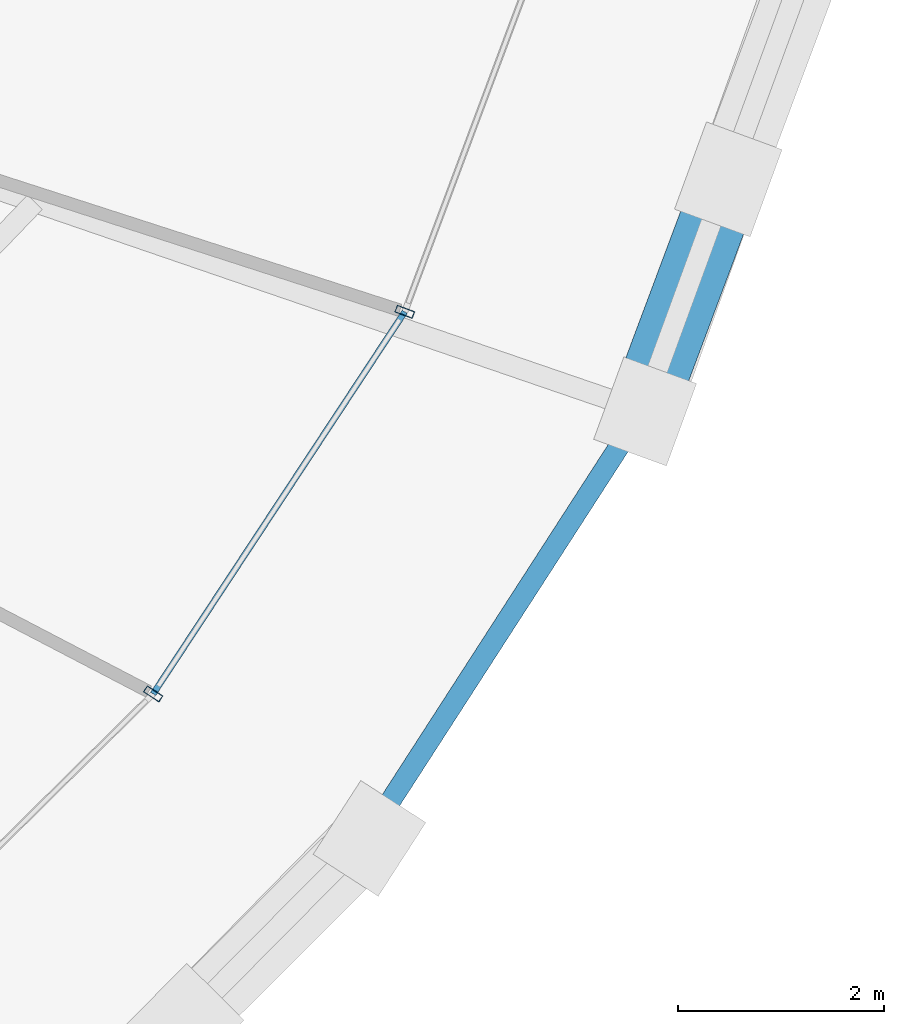
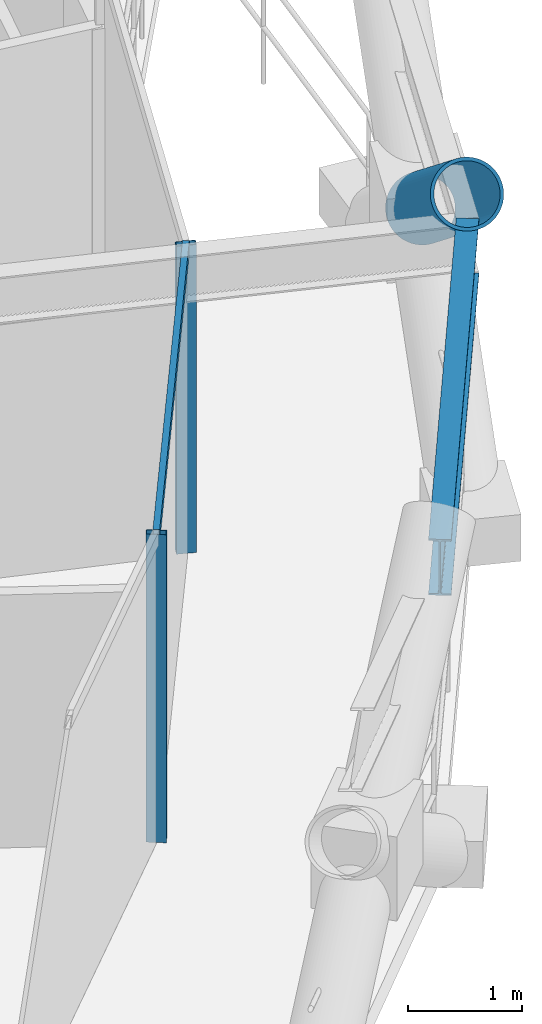
# One storey, part 10 of 23: 4 members, 1 beam, 1 element without a shape of its own.
"""IFC4 building model written with IfcOpenShell, lengths in metres."""

from ifc_helpers import new_model, si_unit, direction, frame, origin, origin_2d, place, context, subcontext, project, spatial, hollow_rectangle, hollow_circle, i_section, extrude, material, layer, layer_set, material_profile, profile_set, type_object, element, aggregate, save


model = new_model("IFC4")

# Units and contexts
model_context = context("Model", 3, precision=1e-05, world=origin(), true_north=direction((0.0, 1.0)))
body_context = subcontext(model_context, "Body", "Model", "MODEL_VIEW")
ifc_project = project(units=[si_unit("LENGTHUNIT", "METRE"), si_unit("AREAUNIT", "SQUARE_METRE"), si_unit("VOLUMEUNIT", "CUBIC_METRE"), si_unit("PLANEANGLEUNIT", "RADIAN"), si_unit("MASSUNIT", "GRAM", prefix="KILO")], contexts=[model_context])

# Site, building, storey
site_placement = place(None, origin())
site = spatial("IfcSite", under=ifc_project, at=site_placement, CompositionType="ELEMENT")
building_placement = place(site_placement, origin())
building = spatial("IfcBuilding", under=site, at=building_placement, Name="Veldorina Hangang Commons", CompositionType="ELEMENT")
storey_placement = place(building_placement, frame((0.0, 0.0, 95.199951171875)))
storey = spatial("IfcBuildingStorey", under=building, at=storey_placement, Name="L24", CompositionType="ELEMENT", Elevation=95.199951171875)

# Beam
ifc_material_1 = material(Name="Steel SM420-TMC", Category="steel")
ifc_material_profile_1 = material_profile(ifc_material_1, i_section(OverallWidth=0.199951171875, OverallDepth=0.60009765625, WebThickness=0.010986328125, FlangeThickness=0.01708984375, FilletRadius=0.01806640625, at=origin_2d()), Name="H-600x200x11x17")
ifc_profile_set_1 = profile_set([ifc_material_profile_1], Name="Steel SM420-TMC")
beam_type = type_object("IfcBeamType", Name="BM-RB600", PredefinedType="BEAM", material=ifc_profile_set_1)
beam_placement = place(storey_placement, frame((55.99658203125, 10.720703125, 3.0400390625), z_axis=(0.542232020533, 0.840228799738, 0.0), x_axis=(-0.840228799738, 0.542232020533, 0.0)))
element("IfcBeam", 1, at=beam_placement, inside=storey, type_object=beam_type, Name="L24 perimeter hoop ring beam 29", PredefinedType="BEAM", context=body_context, shape_type="SweptSolid", body=[
    extrude(i_section(OverallWidth=0.199951171875, OverallDepth=0.60009765625, WebThickness=0.010986328125, FlangeThickness=0.01708984375, FilletRadius=0.01806640625, at=origin_2d()), origin(), (0.0, 0.0, 1.0), 4.918212890625),
])

# Curtain wall, members
ifc_material_2 = material(Name="Glass Low-E Triple IGU", Category="glass")
ifc_layer = layer(ifc_material_2, 0.179931640625)
ifc_layer_set = layer_set([ifc_layer], Name="Glass Low-E Triple IGU")
curtain_wall_type = type_object("IfcCurtainWallType", Name="CW-SYS-Z1", PredefinedType="NOTDEFINED", material=ifc_layer_set)
curtain_wall_placement = place(storey_placement, origin())
curtain_wall = element("IfcCurtainWall", 2, at=curtain_wall_placement, inside=storey, type_object=curtain_wall_type, Name="L24 unitised curtain wall CW-L24-R2", PredefinedType="NOTDEFINED")
ifc_material_3 = material(Name="Aluminium Anodized AA6063-T6", Category="aluminium")
ifc_material_profile_2 = material_profile(ifc_material_3, hollow_rectangle(XDim=0.070068359375, YDim=0.179931640625, WallThickness=0.00390625, at=origin_2d()), Name="ALU-RHS-180x70x4")
ifc_profile_set_2 = profile_set([ifc_material_profile_2], Name="Aluminium Anodized AA6063-T6")
member_type_1 = type_object("IfcMemberType", Name="CW-MUL-180", PredefinedType="MULLION", material=ifc_profile_set_2)
member_1_placement = place(storey_placement, frame((53.925048828125, 12.109619140625, 0.0), z_axis=(0.0, 0.0, 1.0), x_axis=(0.549999810956, 0.83516477892, 0.0)))
member_1 = element("IfcMember", 3, at=member_1_placement, type_object=member_type_1, Name="CW-L24-R2 vertical mullion 3", PredefinedType="MULLION", context=body_context, shape_type="SweptSolid", body=[
    extrude(hollow_rectangle(XDim=0.070068359375, YDim=0.179931640625, WallThickness=0.00390625, at=origin_2d()), origin(), (0.0, 0.0, 1.0), 3.300048828125),
])
member_2_placement = place(storey_placement, frame((56.36181640625, 15.809814453125, 0.0), z_axis=(0.0, 0.0, 1.0), x_axis=(0.350076593736, 0.936721078293, 0.0)))
member_2 = element("IfcMember", 4, at=member_2_placement, type_object=member_type_1, Name="CW-L24-R2 vertical mullion 4", PredefinedType="MULLION", context=body_context, shape_type="SweptSolid", body=[
    extrude(hollow_rectangle(XDim=0.070068359375, YDim=0.179931640625, WallThickness=0.00390625, at=origin_2d()), origin(), (0.0, 0.0, 1.0), 3.300048828125),
])
ifc_material_profile_3 = material_profile(ifc_material_3, hollow_rectangle(XDim=0.06005859375, YDim=0.139892578125, WallThickness=0.00341796875, at=origin_2d()), Name="ALU-RHS-140x60x3.5")
ifc_profile_set_3 = profile_set([ifc_material_profile_3], Name="Aluminium Anodized AA6063-T6")
member_type_2 = type_object("IfcMemberType", Name="CW-TRN-140", PredefinedType="USERDEFINED", material=ifc_profile_set_3)
member_3_placement = place(storey_placement, frame((53.925048828125, 12.109619140625, 3.260009765625), z_axis=(0.549999006665, 0.835165308587, 0.0), x_axis=(-0.835165308587, 0.549999006665, 0.0)))
member_3 = element("IfcMember", 5, at=member_3_placement, type_object=member_type_2, Name="CW-L24-R2 facet 4 transom 1", ObjectType="TRANSOM", PredefinedType="USERDEFINED", context=body_context, shape_type="SweptSolid", body=[
    extrude(hollow_rectangle(XDim=0.06005859375, YDim=0.139892578125, WallThickness=0.00341796875, at=origin_2d()), origin(), (0.0, 0.0, 1.0), 4.430419921875),
])
aggregate(curtain_wall, [member_1, member_2, member_3])

# Member
ifc_material_4 = material(Name="Steel SM460-TMC", Category="steel")
ifc_material_profile_4 = material_profile(ifc_material_4, hollow_circle(Radius=0.324951171875, WallThickness=0.031982421875, at=origin_2d()), Name="CHS-650x32")
ifc_profile_set_4 = profile_set([ifc_material_profile_4], Name="Steel SM460-TMC")
member_type_3 = type_object("IfcMemberType", Name="DG-CHS650", PredefinedType="BRACE", material=ifc_profile_set_4)
member_4_placement = place(storey_placement, frame((59.49560546875, 17.092529296875, 1.801025390625), z_axis=(-0.279888907938, -0.748247774589, 0.601487711459), x_axis=(0.936618581856, -0.350350727303, 0.0)))
element("IfcMember", 6, at=member_4_placement, inside=storey, type_object=member_type_3, Name="L24 split perimeter diagrid upper brace 31", PredefinedType="BRACE", context=body_context, shape_type="SweptSolid", body=[
    extrude(hollow_circle(Radius=0.324951171875, WallThickness=0.031982421875, at=origin_2d()), origin(), (0.0, 0.0, 1.0), 2.990966796875),
])

save(model, "model.ifc")
